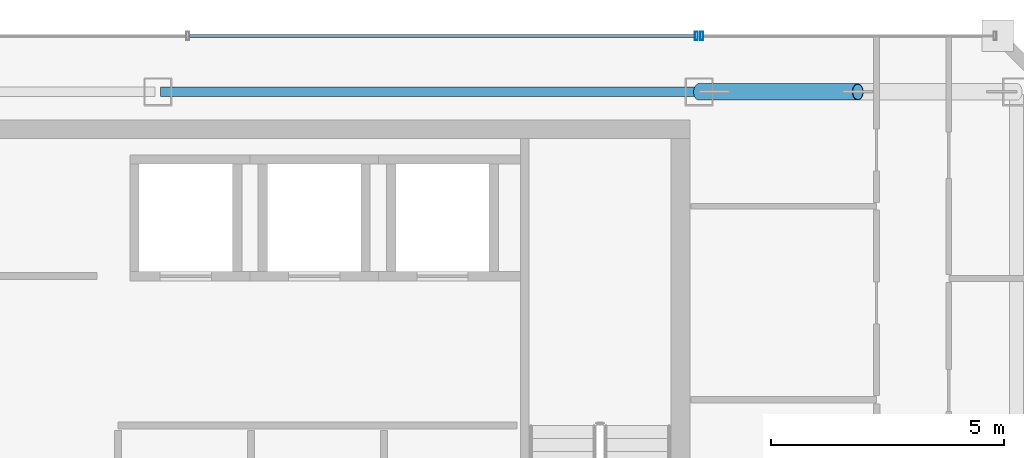
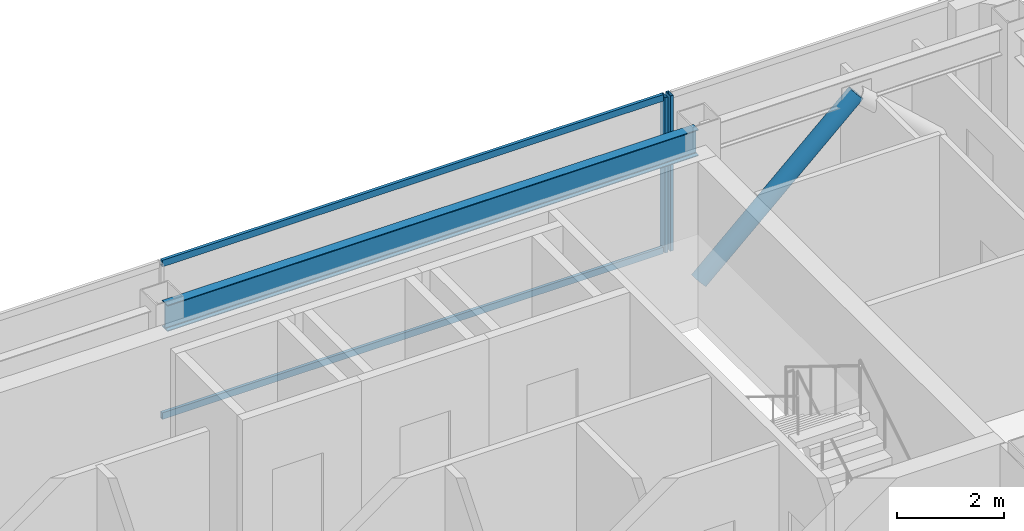
# One storey, part 23 of 32: 5 members, 1 beam, 2 elements without a shape of their own.
"""IFC4 building model written with IfcOpenShell, lengths in metres."""

from ifc_helpers import new_model, si_unit, direction, frame, origin, origin_2d, place, context, subcontext, project, spatial, hollow_rectangle, hollow_circle, i_section, extrude, material, material_profile, profile_set, type_object, element, aggregate, save


model = new_model("IFC4")

# Units and contexts
model_context = context("Model", 3, precision=1e-05, world=origin(), true_north=direction((0.0, 1.0)))
body_context = subcontext(model_context, "Body", "Model", "MODEL_VIEW")
ifc_project = project(units=[si_unit("LENGTHUNIT", "METRE"), si_unit("AREAUNIT", "SQUARE_METRE"), si_unit("VOLUMEUNIT", "CUBIC_METRE"), si_unit("PLANEANGLEUNIT", "RADIAN"), si_unit("MASSUNIT", "GRAM", prefix="KILO")], contexts=[model_context])

# Site, building, storey
site_placement = place(None, origin())
site = spatial("IfcSite", under=ifc_project, at=site_placement, CompositionType="ELEMENT")
building_placement = place(site_placement, origin())
building = spatial("IfcBuilding", under=site, at=building_placement, Name="Saevonmaru Cultural Tower", CompositionType="ELEMENT")
storey_placement = place(building_placement, frame((0.0, 0.0, 268.60009765625)))
storey = spatial("IfcBuildingStorey", under=building, at=storey_placement, Name="L63", CompositionType="ELEMENT", Elevation=268.60009765625)

# Beam
ifc_material_1 = material(Name="Steel SM355", Category="steel")
ifc_material_profile_1 = material_profile(ifc_material_1, i_section(OverallWidth=0.199951171875, OverallDepth=0.60009765625, WebThickness=0.010986328125, FlangeThickness=0.01708984375, FilletRadius=0.02197265625, at=origin_2d()), Name="H-600x200x11x17")
ifc_profile_set_1 = profile_set([ifc_material_profile_1], Name="Steel SM355")
beam_type = type_object("IfcBeamType", Name="BM-SP-H600", PredefinedType="SPANDREL", material=ifc_profile_set_1)
beam_placement = place(storey_placement, frame((34.860107421875, 54.800048828125, 3.25), z_axis=(1.0, 0.0, 0.0), x_axis=(0.0, 1.0, 0.0)))
element("IfcBeam", 1, at=beam_placement, inside=storey, type_object=beam_type, Name="L63 North Spine Girder 4", PredefinedType="SPANDREL", context=body_context, shape_type="SweptSolid", body=[
    extrude(i_section(OverallWidth=0.199951171875, OverallDepth=0.60009765625, WebThickness=0.010986328125, FlangeThickness=0.01708984375, FilletRadius=0.02197265625, at=origin_2d()), origin(), (0.0, 0.0, 1.0), 11.47998046875),
])

# Member
ifc_material_profile_2 = material_profile(ifc_material_1, hollow_circle(Radius=0.177734375, WallThickness=0.01611328125, at=origin_2d()), Name="CHS-355.6x16")
ifc_profile_set_2 = profile_set([ifc_material_profile_2], Name="Steel SM355")
member_type_1 = type_object("IfcMemberType", Name="MB-PBR-CHS356", PredefinedType="BRACE", material=ifc_profile_set_2)
member_1_placement = place(storey_placement, frame((46.39990234375, 54.800048828125, 0.02001953125), z_axis=(0.738986146064, 0.0, 0.673720621568), x_axis=(0.0, 1.0, 0.0)))
element("IfcMember", 2, at=member_1_placement, inside=storey, type_object=member_type_1, Name="L63 Perimeter Braced-Tube Diagonal EN1", PredefinedType="BRACE", context=body_context, shape_type="SweptSolid", body=[
    extrude(hollow_circle(Radius=0.177734375, WallThickness=0.01611328125, at=origin_2d()), origin(), (0.0, 0.0, 1.0), 4.60107421875),
])

# Curtain wall, member
ifc_material_2 = material(Name="Satin Bronze Anodised Aluminium", Category="aluminium")
curtain_wall_type = type_object("IfcCurtainWallType", Name="CW-TYP-B", PredefinedType="NOTDEFINED", material=ifc_material_2)
curtain_wall_1_placement = place(storey_placement, origin())
curtain_wall_1 = element("IfcCurtainWall", 3, at=curtain_wall_1_placement, inside=storey, type_object=curtain_wall_type, Name="L63 East Braced Bay Spandrel Curtain Wall E10A", PredefinedType="NOTDEFINED")
ifc_material_profile_3 = material_profile(ifc_material_2, hollow_rectangle(XDim=0.06494140625, YDim=0.179931640625, WallThickness=0.00390625, at=origin_2d()), Name="ALU-MULL-180x65x4")
ifc_profile_set_3 = profile_set([ifc_material_profile_3], Name="Satin Bronze Anodised Aluminium")
member_type_2 = type_object("IfcMemberType", Name="ML-CW-180x65", PredefinedType="MULLION", material=ifc_profile_set_3)
member_2_placement = place(storey_placement, frame((46.4599609375, 56.0, 0.0), z_axis=(0.0, 0.0, 1.0), x_axis=(-1.0, 0.0, 0.0)))
member_2 = element("IfcMember", 4, at=member_2_placement, type_object=member_type_2, Name="CW-TW-L63-E10A mullion 2", PredefinedType="MULLION", context=body_context, shape_type="SweptSolid", body=[
    extrude(hollow_rectangle(XDim=0.06494140625, YDim=0.179931640625, WallThickness=0.00390625, at=origin_2d()), origin(), (0.0, 0.0, 1.0), 3.5498046875),
])
aggregate(curtain_wall_1, [member_2])

# Curtain wall, members
curtain_wall_2_placement = place(storey_placement, origin())
curtain_wall_2 = element("IfcCurtainWall", 5, at=curtain_wall_2_placement, inside=storey, type_object=curtain_wall_type, Name="L63 North Spine Unitised Curtain Wall E10B", PredefinedType="NOTDEFINED")
member_3_placement = place(storey_placement, frame((46.340087890625, 56.0, 0.0), z_axis=(0.0, 0.0, 1.0), x_axis=(-1.0, 0.0, 0.0)))
member_3 = element("IfcMember", 6, at=member_3_placement, type_object=member_type_2, Name="CW-TW-L63-E10B mullion 1", PredefinedType="MULLION", context=body_context, shape_type="SweptSolid", body=[
    extrude(hollow_rectangle(XDim=0.06494140625, YDim=0.179931640625, WallThickness=0.00390625, at=origin_2d()), origin(), (0.0, 0.0, 1.0), 3.5498046875),
])
ifc_material_profile_4 = material_profile(ifc_material_2, hollow_rectangle(XDim=0.06494140625, YDim=0.14990234375, WallThickness=0.00390625, at=origin_2d()), Name="ALU-TRAN-150x65x4")
ifc_profile_set_4 = profile_set([ifc_material_profile_4], Name="Satin Bronze Anodised Aluminium")
member_type_3 = type_object("IfcMemberType", Name="TR-CW-150x65", PredefinedType="USERDEFINED", material=ifc_profile_set_4)
member_4_placement = place(storey_placement, frame((46.3076171875, 56.0, 0.032470703125), z_axis=(-1.0, 0.0, 0.0), x_axis=(0.0, -1.0, 0.0)))
member_4 = element("IfcMember", 7, at=member_4_placement, type_object=member_type_3, Name="CW-TW-L63-E10B transom 1.1", ObjectType="TRANSOM", PredefinedType="USERDEFINED", context=body_context, shape_type="SweptSolid", body=[
    extrude(hollow_rectangle(XDim=0.06494140625, YDim=0.14990234375, WallThickness=0.00390625, at=origin_2d()), origin(), (0.0, 0.0, 1.0), 10.828369140625),
])
member_5_placement = place(storey_placement, frame((46.3076171875, 56.0, 3.517333984375), z_axis=(-1.0, 0.0, 0.0), x_axis=(0.0, -1.0, 0.0)))
member_5 = element("IfcMember", 8, at=member_5_placement, type_object=member_type_3, Name="CW-TW-L63-E10B transom 1.2", ObjectType="TRANSOM", PredefinedType="USERDEFINED", context=body_context, shape_type="SweptSolid", body=[
    extrude(hollow_rectangle(XDim=0.06494140625, YDim=0.14990234375, WallThickness=0.00390625, at=origin_2d()), origin(), (0.0, 0.0, 1.0), 10.828369140625),
])
aggregate(curtain_wall_2, [member_3, member_4, member_5])

save(model, "model.ifc")
